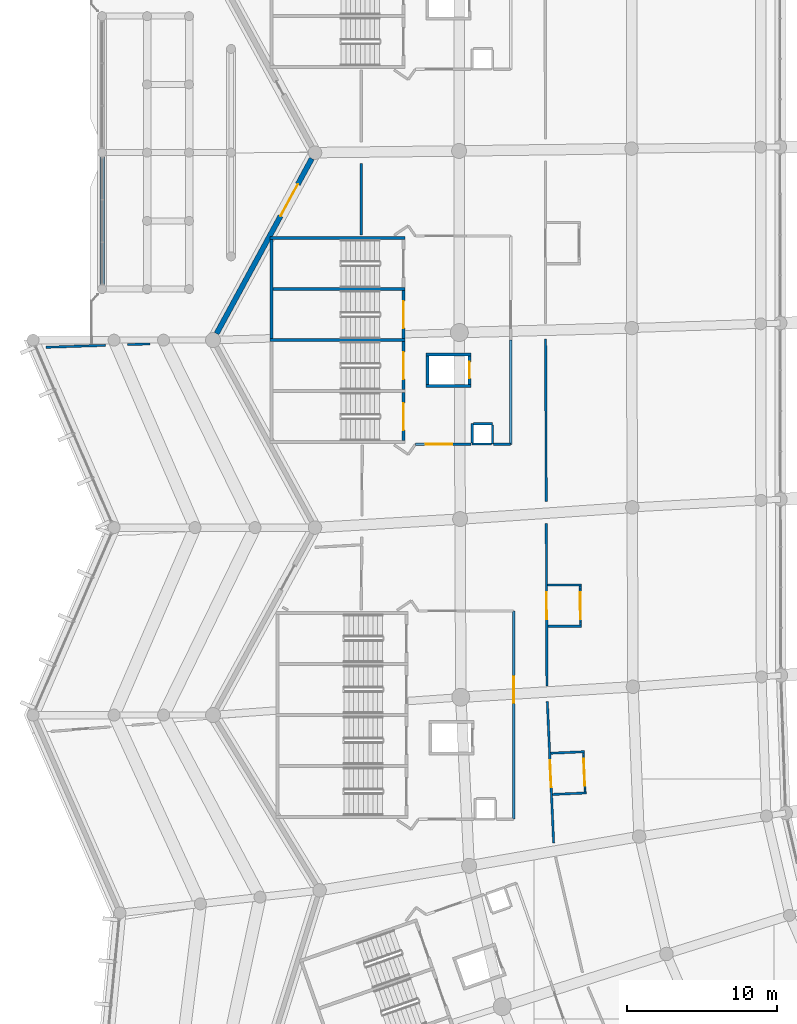
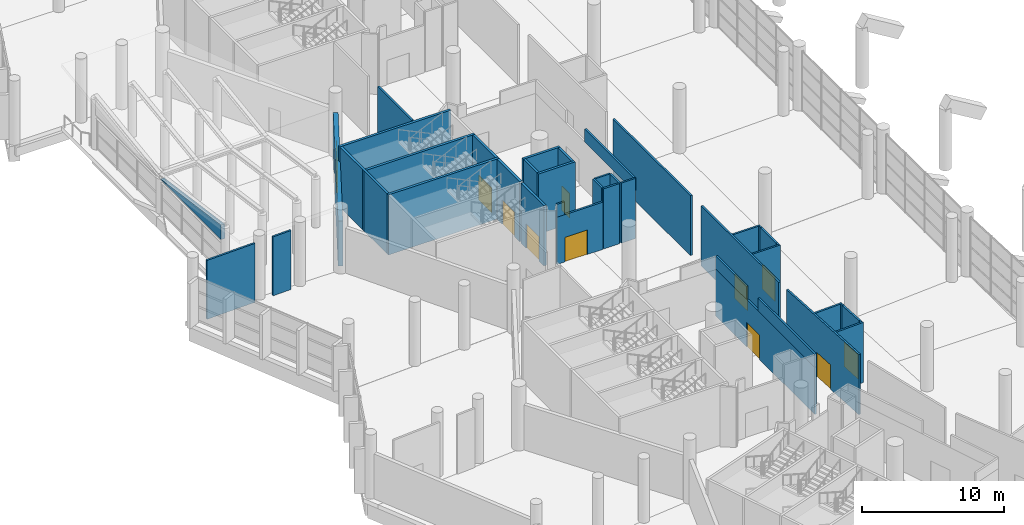
# One storey, part 167 of 271: 40 walls, 11 doors, 11 openings.
"""IFC4 building model written with IfcOpenShell, lengths in metres."""

import ifcopenshell
import ifcopenshell.guid

model = None  # the IFC model being written
_history = None  # IfcOwnerHistory: only IFC2X3 demands one
_inside = {}  # id of a spatial element -> (the spatial element, [elements in it])
_under = {}  # id of a project, library or spatial element -> (it, [spatial elements below it])
_declared = {}  # id of a project -> (the project, [libraries it declares])
_typed = {}  # id of a type object -> (the type object, [elements of that type])
_made_of = {}  # id of a material, layer set ... -> (it, [elements and type objects made of it])


def new_model(schema):
    """Start an empty IFC model of exactly this schema.

    Asked for "IFC4X3", IfcOpenShell would pick the latest addendum, in which some entities
    have other attributes; the version numbers below select the first issue.
    IFC2X3 requires an IfcOwnerHistory on every rooted entity: one is made here for all.
    """
    global model, _history
    if schema == "IFC4X3":
        model = ifcopenshell.file(schema_version=(4, 3, 0, 0))
    else:
        model = ifcopenshell.file(schema=schema)
    _inside.clear()
    _under.clear()
    _declared.clear()
    _typed.clear()
    _made_of.clear()
    _history = None
    if model.schema == "IFC2X3":
        org = make("IfcOrganization", Name="unknown")
        user = make(
            "IfcPersonAndOrganization",
            ThePerson=make("IfcPerson", FamilyName="unknown"),
            TheOrganization=org,
        )
        app = make(
            "IfcApplication",
            ApplicationDeveloper=org,
            Version="unknown",
            ApplicationFullName="unknown",
            ApplicationIdentifier="unknown",
        )
        _history = make(
            "IfcOwnerHistory",
            OwningUser=user,
            OwningApplication=app,
            ChangeAction="ADDED",
            CreationDate=0,
        )
    return model


def make(cls, **values):
    """One entity of the class cls with the attributes given. An attribute that is None is left unset."""
    return model.create_entity(
        cls, **{name: value for name, value in values.items() if value is not None}
    )


def rooted(cls, **values):
    """An entity with a GlobalId (a new one), such as an element, a storey or a relation."""
    return make(cls, GlobalId=ifcopenshell.guid.new(), OwnerHistory=_history, **values)


def si_unit(unit_type, name, prefix=None):
    """IfcSIUnit, for example si_unit("LENGTHUNIT", "METRE", prefix="MILLI")."""
    return make("IfcSIUnit", UnitType=unit_type, Prefix=prefix, Name=name)


def assignment(units):
    """IfcUnitAssignment: the units of a project."""
    return None if units is None else make("IfcUnitAssignment", Units=units)


def point(xyz):
    """IfcCartesianPoint."""
    return None if xyz is None else make("IfcCartesianPoint", Coordinates=xyz)


def direction(xyz):
    """IfcDirection."""
    return None if xyz is None else make("IfcDirection", DirectionRatios=xyz)


def frame(location, z_axis=None, x_axis=None):
    """IfcAxis2Placement3D, a coordinate frame: its origin and axes. An axis left out is left unset."""
    return make(
        "IfcAxis2Placement3D",
        Location=point(location),
        Axis=direction(z_axis),
        RefDirection=direction(x_axis),
    )


def frame_2d(location, x_axis=None):
    """IfcAxis2Placement2D, a coordinate frame in the plane: its origin and x axis."""
    return make(
        "IfcAxis2Placement2D", Location=point(location), RefDirection=direction(x_axis)
    )


def origin():
    """The frame at (0, 0, 0) with its axes left unset."""
    return frame((0.0, 0.0, 0.0))


def place(relative_to, where):
    """IfcLocalPlacement: puts the frame where relative to a parent placement (None: the world)."""
    return make(
        "IfcLocalPlacement", PlacementRelTo=relative_to, RelativePlacement=where
    )


def context(
    kind, dimensions, precision=None, world=None, true_north=None, identifier=None
):
    """IfcGeometricRepresentationContext, for example the 3D "Model" context."""
    return make(
        "IfcGeometricRepresentationContext",
        ContextIdentifier=identifier,
        ContextType=kind,
        CoordinateSpaceDimension=dimensions,
        Precision=precision,
        WorldCoordinateSystem=world,
        TrueNorth=true_north,
    )


def subcontext(parent, identifier, kind, view, scale=None):
    """IfcGeometricRepresentationSubContext, for example "Body" below "Model"."""
    return make(
        "IfcGeometricRepresentationSubContext",
        ContextIdentifier=identifier,
        ContextType=kind,
        ParentContext=parent,
        TargetScale=scale,
        TargetView=view,
    )


def project(units=None, contexts=None):
    """IfcProject with its units and contexts."""
    return rooted(
        "IfcProject",
        Name="project",
        RepresentationContexts=contexts,
        UnitsInContext=assignment(units),
    )


def spatial(cls, under=None, at=None, **own):
    """A site, building, storey or space (cls), placed at a placement, below another one or the project."""
    s = rooted(cls, ObjectPlacement=at, **own)
    if under is not None:
        _under.setdefault(under.id(), (under, []))[1].append(s)
    return s


def polyline(points):
    """IfcPolyline through the points."""
    return make("IfcPolyline", Points=[point(p) for p in points])


def profile(cls, at=None, kind="AREA", **sizes):
    """A parametric profile (cls). Its sizes go by their IFC names, for example OverallWidth=200.0."""
    return make(cls, ProfileType=kind, Position=at, **sizes)


def rectangle(**sizes):
    """IfcRectangleProfileDef."""
    return profile("IfcRectangleProfileDef", **sizes)


def outline(outer, holes=None, kind="AREA"):
    """IfcArbitraryClosedProfileDef: a profile drawn as a closed curve; with holes, ...WithVoids."""
    if holes is None:
        return make("IfcArbitraryClosedProfileDef", ProfileType=kind, OuterCurve=outer)
    return make(
        "IfcArbitraryProfileDefWithVoids",
        ProfileType=kind,
        OuterCurve=outer,
        InnerCurves=holes,
    )


def extrude(swept, where, along, depth):
    """IfcExtrudedAreaSolid: the profile swept, set in the frame where, extruded along a direction by depth."""
    return make(
        "IfcExtrudedAreaSolid",
        SweptArea=swept,
        Position=where,
        ExtrudedDirection=direction(along),
        Depth=depth,
    )


def shape(context_of_items, identifier, shape_type, items):
    """IfcShapeRepresentation: the items that make up one representation, for example the "Body"."""
    return make(
        "IfcShapeRepresentation",
        ContextOfItems=context_of_items,
        RepresentationIdentifier=identifier,
        RepresentationType=shape_type,
        Items=items,
    )


def material(Name=None, Category=None):
    """IfcMaterial."""
    return make("IfcMaterial", Name=Name, Category=Category)


def layer(
    of_material, thickness, ventilated=None, Name=None, Category=None, Priority=None
):
    """IfcMaterialLayer: one layer of a wall or slab, of a material (None: an air gap)."""
    return make(
        "IfcMaterialLayer",
        Material=of_material,
        LayerThickness=thickness,
        IsVentilated=ventilated,
        Name=Name,
        Category=Category,
        Priority=Priority,
    )


def layer_set(layers, Name=None):
    """IfcMaterialLayerSet."""
    return make("IfcMaterialLayerSet", MaterialLayers=layers, LayerSetName=Name)


def made_of(thing, what):
    """Note that an element or type object is made of a material, layer set ...; save() writes the relation."""
    if what is not None:
        _made_of.setdefault(what.id(), (what, []))[1].append(thing)
    return thing


def type_object(cls, material=None, **own):
    """A type object (cls), such as IfcWallType, which elements share."""
    return made_of(rooted(cls, **own), material)


def element(
    cls,
    number,
    at=None,
    inside=None,
    cuts=None,
    type_object=None,
    material=None,
    context=None,
    identifier="Body",
    shape_type=None,
    held_by="IfcProductDefinitionShape",
    body=None,
    shapes=None,
    **own,
):
    """One element of the class cls, such as IfcWall. Its Tag is "e" and its number.

    at: its placement. inside: the storey or other place that contains it. cuts: it is an
    opening in that element (IfcRelVoidsElement). A single representation is given by context,
    identifier, shape_type and body (its items); several are given by shapes. held_by: the class
    of the entity that holds the representations. save() writes the other relations.
    """
    e = rooted(cls, Tag="e%d" % number, ObjectPlacement=at, **own)
    if body is not None:
        shapes = [shape(context, identifier, shape_type, body)]
    if shapes is not None:
        e.Representation = make(held_by, Representations=shapes)
    if inside is not None:
        _inside.setdefault(inside.id(), (inside, []))[1].append(e)
    if cuts is not None:
        rooted(
            "IfcRelVoidsElement", RelatingBuildingElement=cuts, RelatedOpeningElement=e
        )
    if type_object is not None:
        _typed.setdefault(type_object.id(), (type_object, []))[1].append(e)
    return made_of(e, material)


def fill(opening, filler):
    """IfcRelFillsElement: the door or window that sits in an opening."""
    return rooted(
        "IfcRelFillsElement",
        RelatingOpeningElement=opening,
        RelatedBuildingElement=filler,
    )


def aggregate(whole, parts):
    """IfcRelAggregates: a whole, such as a stair, and the parts it consists of."""
    return rooted("IfcRelAggregates", RelatingObject=whole, RelatedObjects=parts)


def save(model, path):
    """Write the relations noted so far, then the file.

    IfcRelAggregates (storeys below a building ...), IfcRelContainedInSpatialStructure (elements
    in a storey), IfcRelDefinesByType, IfcRelAssociatesMaterial and IfcRelDeclares: one each for
    every whole, place, type object, material and project.
    """
    for whole, parts in _under.values():
        aggregate(whole, parts)
    for where, things in _inside.values():
        rooted(
            "IfcRelContainedInSpatialStructure",
            RelatedElements=things,
            RelatingStructure=where,
        )
    for kind, things in _typed.values():
        rooted("IfcRelDefinesByType", RelatedObjects=things, RelatingType=kind)
    for what, things in _made_of.values():
        rooted("IfcRelAssociatesMaterial", RelatedObjects=things, RelatingMaterial=what)
    for by, libraries in _declared.values():
        rooted("IfcRelDeclares", RelatingContext=by, RelatedDefinitions=libraries)
    model.write(path)


model = new_model("IFC4")

# Units and contexts
model_context = context("Model", 3, precision=1e-05, world=origin(), true_north=direction((0.0, 1.0)))
body_context = subcontext(model_context, "Body", "Model", "MODEL_VIEW")
ifc_project = project(units=[si_unit("LENGTHUNIT", "METRE"), si_unit("AREAUNIT", "SQUARE_METRE"), si_unit("VOLUMEUNIT", "CUBIC_METRE"), si_unit("PLANEANGLEUNIT", "RADIAN"), si_unit("MASSUNIT", "GRAM", prefix="KILO")], contexts=[model_context])

# Site, building, storey
site_placement = place(None, origin())
site = spatial("IfcSite", under=ifc_project, at=site_placement, CompositionType="ELEMENT")
building_placement = place(site_placement, origin())
building = spatial("IfcBuilding", under=site, at=building_placement, Name="Meseta Stadium", CompositionType="ELEMENT")
storey_placement = place(building_placement, frame((0.0, 0.0, 6.5)))
storey = spatial("IfcBuildingStorey", under=building, at=storey_placement, Name="L01", CompositionType="ELEMENT", Elevation=6.5)

# Walls
ifc_material_1 = material(Name="Concrete C40/50", Category="concrete")
ifc_layer_1 = layer(ifc_material_1, 0.199951171875)
ifc_layer_set_1 = layer_set([ifc_layer_1], Name="Core divider wall 200")
wall_type_1 = type_object("IfcWallType", Name="Core divider wall 200", PredefinedType="SHEAR", material=ifc_layer_set_1)
wall_1_placement = place(storey_placement, frame((-97.60009765625, -15.35009765625, 0.0), z_axis=(0.0, 0.0, 1.0), x_axis=(1.0, 0.0, 0.0)))
element("IfcWall", 1, at=wall_1_placement, inside=storey, type_object=wall_type_1, Name="Core 18 L01 stair A divider wall", PredefinedType="SHEAR", context=body_context, shape_type="SweptSolid", body=[
    extrude(rectangle(XDim=9.0, YDim=0.199951171875, at=frame_2d((4.5, 0.0))), origin(), (0.0, 0.0, 1.0), 5.14990234375),
])
ifc_material_2 = material(Name="Concrete C40/50", Category="concrete")
ifc_layer_2 = layer(ifc_material_2, 0.199951171875)
ifc_layer_set_2 = layer_set([ifc_layer_2], Name="Core shaft wall 200")
wall_type_2 = type_object("IfcWallType", Name="Core shaft wall 200", PredefinedType="SHEAR", material=ifc_layer_set_2)
for number, where, z_axis, x_axis, name in (
    (2, (-97.60009765625, -11.949951171875, 0.0), (0.0, 0.0, 1.0), (1.0, 0.0, 0.0), "Core 18 L01 stair wall A-side"),
    (3, (-97.60009765625, -18.75, 0.0), (0.0, 0.0, 1.0), (1.0, 0.0, 0.0), "Core 18 L01 stair wall shared"),
):
    element("IfcWall", number, at=place(storey_placement, frame(where, z_axis=z_axis, x_axis=x_axis)), inside=storey, type_object=wall_type_2, Name=name, PredefinedType="SHEAR", context=body_context, shape_type="SweptSolid", body=[
        extrude(rectangle(XDim=9.0, YDim=0.199951171875, at=frame_2d((4.5, 0.0))), origin(), (0.0, 0.0, 1.0), 5.14990234375),
    ])
wall_2_placement = place(storey_placement, frame((-97.5, -12.050048828125, 0.0), z_axis=(0.0, 0.0, 1.0), x_axis=(0.0, -1.0, 0.0)))
element("IfcWall", 4, at=wall_2_placement, inside=storey, type_object=wall_type_2, Name="Core 18 L01 stair A outer end wall", PredefinedType="SHEAR", context=body_context, shape_type="SweptSolid", body=[
    extrude(rectangle(XDim=6.599853515625, YDim=0.199951171875, at=frame_2d((3.2998046875, 0.0))), origin(), (0.0, 0.0, 1.0), 5.14990234375),
])

# Wall, opening, door
wall_3_placement = place(storey_placement, frame((-88.699951171875, -15.449951171875, 0.0), z_axis=(0.0, 0.0, 1.0), x_axis=(0.0, -1.0, 0.0)))
wall_3 = element("IfcWall", 5, at=wall_3_placement, inside=storey, type_object=wall_type_2, Name="Core 18 L01 stair A2 inner end wall", PredefinedType="SHEAR", context=body_context, shape_type="SweptSolid", body=[
    extrude(rectangle(XDim=3.199951171875, YDim=0.199951171875, at=frame_2d((1.60009765625, 0.0))), origin(), (0.0, 0.0, 1.0), 5.14990234375),
])
opening_1_placement = place(wall_3_placement, frame((0.699951171875, 0.0, 0.0)))
opening_1 = element("IfcOpeningElement", 6, at=opening_1_placement, cuts=wall_3, Name="Opening D250", PredefinedType="OPENING", context=body_context, shape_type="SweptSolid", body=[
    extrude(rectangle(XDim=1.800048828125, YDim=2.10009765625, at=frame_2d((0.89990234375, 1.050048828125))), frame((0.0, 0.10986328125, 0.0), z_axis=(0.0, -1.0, 0.0), x_axis=(1.0, 0.0, 0.0)), (0.0, 0.0, 1.0), 0.219970703125),
])
ifc_material_3 = material(Name="Steel", Category="steel")
door_type_1 = type_object("IfcDoorType", Name="Stair door 1800x2100", OperationType="DOUBLE_DOOR_SINGLE_SWING", PredefinedType="DOOR", material=ifc_material_3)
door_1_placement = place(opening_1_placement, origin())
door_1 = element("IfcDoor", 7, at=door_1_placement, inside=storey, type_object=door_type_1, Name="Stair A2 door 18 L01", OperationType="DOUBLE_DOOR_SINGLE_SWING", OverallHeight=2.10009765625, OverallWidth=1.800048828125, PredefinedType="DOOR", context=body_context, shape_type="SweptSolid", body=[
    extrude(rectangle(XDim=1.800048828125, YDim=2.10009765625, at=frame_2d((0.89990234375, 1.050048828125))), frame((0.0, 0.02490234375, 0.0), z_axis=(0.0, -1.0, 0.0), x_axis=(1.0, 0.0, 0.0)), (0.0, 0.0, 1.0), 0.050048828125),
])
fill(opening_1, door_1)

wall_4_placement = place(storey_placement, frame((-88.699951171875, -18.85009765625, 0.0), z_axis=(0.0, 0.0, 1.0), x_axis=(0.0, -1.0, 0.0)))
wall_4 = element("IfcWall", 8, at=wall_4_placement, inside=storey, type_object=wall_type_2, Name="Core 18 L01 stair B1 inner end wall", PredefinedType="SHEAR", context=body_context, shape_type="SweptSolid", body=[
    extrude(rectangle(XDim=3.199951171875, YDim=0.199951171875, at=frame_2d((1.60009765625, 0.0))), origin(), (0.0, 0.0, 1.0), 5.14990234375),
])
opening_2_placement = place(wall_4_placement, frame((0.699951171875, 0.0, 0.0)))
opening_2 = element("IfcOpeningElement", 9, at=opening_2_placement, cuts=wall_4, Name="Opening D251", PredefinedType="OPENING", context=body_context, shape_type="SweptSolid", body=[
    extrude(rectangle(XDim=1.800048828125, YDim=2.10009765625, at=frame_2d((0.89990234375, 1.050048828125))), frame((0.0, 0.10986328125, 0.0), z_axis=(0.0, -1.0, 0.0), x_axis=(1.0, 0.0, 0.0)), (0.0, 0.0, 1.0), 0.219970703125),
])
door_2_placement = place(opening_2_placement, origin())
door_2 = element("IfcDoor", 10, at=door_2_placement, inside=storey, type_object=door_type_1, Name="Stair B1 door 18 L01", OperationType="DOUBLE_DOOR_SINGLE_SWING", OverallHeight=2.10009765625, OverallWidth=1.800048828125, PredefinedType="DOOR", context=body_context, shape_type="SweptSolid", body=[
    extrude(rectangle(XDim=1.800048828125, YDim=2.10009765625, at=frame_2d((0.89990234375, 1.050048828125))), frame((0.0, 0.02490234375, 0.0), z_axis=(0.0, -1.0, 0.0), x_axis=(1.0, 0.0, 0.0)), (0.0, 0.0, 1.0), 0.050048828125),
])
fill(opening_2, door_2)

wall_5_placement = place(storey_placement, frame((-88.699951171875, -22.25, 0.0), z_axis=(0.0, 0.0, 1.0), x_axis=(0.0, -1.0, 0.0)))
wall_5 = element("IfcWall", 11, at=wall_5_placement, inside=storey, type_object=wall_type_2, Name="Core 18 L01 stair B2 inner end wall", PredefinedType="SHEAR", context=body_context, shape_type="SweptSolid", body=[
    extrude(rectangle(XDim=3.199951171875, YDim=0.199951171875, at=frame_2d((1.60009765625, 0.0))), origin(), (0.0, 0.0, 1.0), 5.14990234375),
])
opening_3_placement = place(wall_5_placement, frame((0.699951171875, 0.0, 0.0)))
opening_3 = element("IfcOpeningElement", 12, at=opening_3_placement, cuts=wall_5, Name="Opening D252", PredefinedType="OPENING", context=body_context, shape_type="SweptSolid", body=[
    extrude(rectangle(XDim=1.800048828125, YDim=2.10009765625, at=frame_2d((0.89990234375, 1.050048828125))), frame((0.0, 0.10986328125, 0.0), z_axis=(0.0, -1.0, 0.0), x_axis=(1.0, 0.0, 0.0)), (0.0, 0.0, 1.0), 0.219970703125),
])
door_3_placement = place(opening_3_placement, origin())
door_3 = element("IfcDoor", 13, at=door_3_placement, inside=storey, type_object=door_type_1, Name="Stair B2 door 18 L01", OperationType="DOUBLE_DOOR_SINGLE_SWING", OverallHeight=2.10009765625, OverallWidth=1.800048828125, PredefinedType="DOOR", context=body_context, shape_type="SweptSolid", body=[
    extrude(rectangle(XDim=1.800048828125, YDim=2.10009765625, at=frame_2d((0.89990234375, 1.050048828125))), frame((0.0, 0.02490234375, 0.0), z_axis=(0.0, -1.0, 0.0), x_axis=(1.0, 0.0, 0.0)), (0.0, 0.0, 1.0), 0.050048828125),
])
fill(opening_3, door_3)

# Walls
for number, where, z_axis, x_axis, name in (
    (14, (-87.199951171875, -19.699951171875, 0.0), (0.0, 0.0, 1.0), (1.0, 0.0, 0.0), "Core 18 L01 lift shaft wall left"),
    (15, (-87.199951171875, -21.800048828125, 0.0), (0.0, 0.0, 1.0), (1.0, 0.0, 0.0), "Core 18 L01 lift shaft wall right"),
):
    element("IfcWall", number, at=place(storey_placement, frame(where, z_axis=z_axis, x_axis=x_axis)), inside=storey, type_object=wall_type_2, Name=name, PredefinedType="SHEAR", context=body_context, shape_type="SweptSolid", body=[
        extrude(rectangle(XDim=3.0, YDim=0.199951171875, at=frame_2d((1.5, 0.0))), origin(), (0.0, 0.0, 1.0), 5.14990234375),
    ])
wall_6_placement = place(storey_placement, frame((-87.10009765625, -19.800048828125, 0.0), z_axis=(0.0, 0.0, 1.0), x_axis=(0.0, -1.0, 0.0)))
element("IfcWall", 16, at=wall_6_placement, inside=storey, type_object=wall_type_2, Name="Core 18 L01 lift shaft back wall", PredefinedType="SHEAR", context=body_context, shape_type="SweptSolid", body=[
    extrude(rectangle(XDim=1.89990234375, YDim=0.199951171875, at=frame_2d((0.949951171875, 0.0))), origin(), (0.0, 0.0, 1.0), 5.14990234375),
])

# Wall, opening, door
wall_7_placement = place(storey_placement, frame((-84.300048828125, -19.800048828125, 0.0), z_axis=(0.0, 0.0, 1.0), x_axis=(0.0, -1.0, 0.0)))
wall_7 = element("IfcWall", 17, at=wall_7_placement, inside=storey, type_object=wall_type_2, Name="Core 18 L01 lift shaft front wall", PredefinedType="SHEAR", context=body_context, shape_type="SweptSolid", body=[
    extrude(rectangle(XDim=1.89990234375, YDim=0.199951171875, at=frame_2d((0.949951171875, 0.0))), origin(), (0.0, 0.0, 1.0), 5.14990234375),
])
opening_4_placement = place(wall_7_placement, frame((0.39990234375, 0.0, 0.0)))
opening_4 = element("IfcOpeningElement", 18, at=opening_4_placement, cuts=wall_7, Name="Opening LD99", PredefinedType="OPENING", context=body_context, shape_type="SweptSolid", body=[
    extrude(rectangle(XDim=1.10009765625, YDim=2.10009765625, at=frame_2d((0.550048828125, 1.050048828125))), frame((0.0, 0.10986328125, 0.0), z_axis=(0.0, -1.0, 0.0), x_axis=(1.0, 0.0, 0.0)), (0.0, 0.0, 1.0), 0.219970703125),
])
ifc_material_4 = material(Name="Steel", Category="steel")
door_type_2 = type_object("IfcDoorType", Name="Lift landing door 1100x2100", OperationType="SLIDING_TO_LEFT", PredefinedType="DOOR", material=ifc_material_4)
door_4_placement = place(opening_4_placement, origin())
door_4 = element("IfcDoor", 19, at=door_4_placement, inside=storey, type_object=door_type_2, Name="Lift landing door LD99", OperationType="SLIDING_TO_LEFT", OverallHeight=2.10009765625, OverallWidth=1.10009765625, PredefinedType="DOOR", context=body_context, shape_type="SweptSolid", body=[
    extrude(rectangle(XDim=1.10009765625, YDim=2.10009765625, at=frame_2d((0.550048828125, 1.050048828125))), frame((0.0, 0.02490234375, 0.0), z_axis=(0.0, -1.0, 0.0), x_axis=(1.0, 0.0, 0.0)), (0.0, 0.0, 1.0), 0.050048828125),
])
fill(opening_4, door_4)

# Walls
ifc_material_5 = material(Name="Precast concrete C40/50", Category="concrete")
ifc_layer_3 = layer(ifc_material_5, 0.300048828125)
ifc_layer_set_3 = layer_set([ifc_layer_3], Name="Gate facade panel wall 300")
wall_type_3 = type_object("IfcWallType", Name="Gate facade panel wall 300", PredefinedType="SOLIDWALL", material=ifc_layer_set_3)
wall_8_placement = place(storey_placement, frame((-108.800048828125, -6.550048828125, 2.99609375), z_axis=(0.0, 0.0, 1.0), x_axis=(0.0, -1.0, 0.0)))
element("IfcWall", 20, at=wall_8_placement, inside=storey, type_object=wall_type_3, Name="Gate 5 gable panel wall", PredefinedType="SOLIDWALL", context=body_context, shape_type="SweptSolid", body=[
    extrude(outline(polyline([(0.0, 0.0), (8.5, 0.0), (8.5, 1.241943359375), (0.0, 0.052001953125), (0.0, 0.0)])), frame((0.0, 0.14990234375, 0.0), z_axis=(0.0, -1.0, 0.0), x_axis=(1.0, 0.0, 0.0)), (0.0, 0.0, 1.0), 0.300048828125),
])
ifc_material_6 = material(Name="Masonry blockwork", Category="masonry")
ifc_layer_4 = layer(ifc_material_6, 0.14990234375)
ifc_layer_set_4 = layer_set([ifc_layer_4], Name="Partition 150")
wall_type_4 = type_object("IfcWallType", Name="Partition 150", PredefinedType="PARTITIONING", material=ifc_layer_set_4)
wall_9_placement = place(storey_placement, frame((-91.519287109375, -6.96728515625, 0.0), z_axis=(0.0, 0.0, 1.0), x_axis=(-0.001174067593, -0.999999310782, 0.0)))
element("IfcWall", 21, at=wall_9_placement, inside=storey, type_object=wall_type_4, Name="Partition L01 L01-cell16-2-0", PredefinedType="PARTITIONING", context=body_context, shape_type="SweptSolid", body=[
    extrude(rectangle(XDim=4.78271484375, YDim=0.14990234375, at=frame_2d((2.391357421875, 0.0))), origin(), (0.0, 0.0, 1.0), 5.14990234375),
])

# Wall, opening, door
wall_10_placement = place(storey_placement, frame((-79.139892578125, -41.81005859375, 0.0), z_axis=(0.0, 0.0, 1.0), x_axis=(-0.003787424647, 0.999992827682, 0.0)))
wall_10 = element("IfcWall", 22, at=wall_10_placement, inside=storey, type_object=wall_type_4, Name="Partition L01 L01-cell17-0-0", PredefinedType="PARTITIONING", context=body_context, shape_type="SweptSolid", body=[
    extrude(rectangle(XDim=10.829345703125, YDim=0.14990234375, at=frame_2d((5.41455078125, 0.0))), origin(), (0.0, 0.0, 1.0), 5.14990234375),
])
opening_5_placement = place(wall_10_placement, frame((4.449951171875, 0.0, 0.0)))
opening_5 = element("IfcOpeningElement", 23, at=opening_5_placement, cuts=wall_10, Name="Opening D663", PredefinedType="OPENING", context=body_context, shape_type="SweptSolid", body=[
    extrude(rectangle(XDim=1.800048828125, YDim=2.10009765625, at=frame_2d((0.89990234375, 1.050048828125))), frame((0.0, 0.0849609375, 0.0), z_axis=(0.0, -1.0, 0.0), x_axis=(1.0, 0.0, 0.0)), (0.0, 0.0, 1.0), 0.169921875),
])
ifc_material_7 = material(Name="Steel", Category="steel")
door_type_3 = type_object("IfcDoorType", Name="Fire double door 1800x2100 EI2 60", OperationType="DOUBLE_DOOR_SINGLE_SWING", PredefinedType="DOOR", material=ifc_material_7)
door_5_placement = place(opening_5_placement, origin())
door_5 = element("IfcDoor", 24, at=door_5_placement, inside=storey, type_object=door_type_3, Name="Door D663", OperationType="DOUBLE_DOOR_SINGLE_SWING", OverallHeight=2.10009765625, OverallWidth=1.800048828125, PredefinedType="DOOR", context=body_context, shape_type="SweptSolid", body=[
    extrude(rectangle(XDim=1.800048828125, YDim=2.10009765625, at=frame_2d((0.89990234375, 1.050048828125))), frame((0.0, 0.02490234375, 0.0), z_axis=(0.0, -1.0, 0.0), x_axis=(1.0, 0.0, 0.0)), (0.0, 0.0, 1.0), 0.050048828125),
])
fill(opening_5, door_5)

# Wall
wall_11_placement = place(storey_placement, frame((-79.186279296875, -29.50390625, 0.0), z_axis=(0.0, 0.0, 1.0), x_axis=(-0.003787510032, 0.999992827358, 0.0)))
element("IfcWall", 25, at=wall_11_placement, inside=storey, type_object=wall_type_4, Name="Partition L01 L01-cell17-0-0", PredefinedType="PARTITIONING", context=body_context, shape_type="SweptSolid", body=[
    extrude(rectangle(XDim=10.8291015625, YDim=0.14990234375, at=frame_2d((5.41455078125, 0.0))), origin(), (0.0, 0.0, 1.0), 5.14990234375),
])

# Wall, opening, door
wall_12_placement = place(storey_placement, frame((-78.69140625, -52.265869140625, 0.0), z_axis=(0.0, 0.0, 1.0), x_axis=(-0.044749816806, 0.998998225172, 0.0)))
wall_12 = element("IfcWall", 26, at=wall_12_placement, inside=storey, type_object=wall_type_4, Name="Partition L01 L01-cell18-0-0", PredefinedType="PARTITIONING", context=body_context, shape_type="SweptSolid", body=[
    extrude(rectangle(XDim=9.427490234375, YDim=0.14990234375, at=frame_2d((4.7138671875, 0.0))), origin(), (0.0, 0.0, 1.0), 5.14990234375),
])
opening_6_placement = place(wall_12_placement, frame((3.699951171875, 0.0, 0.0)))
opening_6 = element("IfcOpeningElement", 27, at=opening_6_placement, cuts=wall_12, Name="Opening D666", PredefinedType="OPENING", context=body_context, shape_type="SweptSolid", body=[
    extrude(rectangle(XDim=1.800048828125, YDim=2.10009765625, at=frame_2d((0.89990234375, 1.050048828125))), frame((0.0, 0.0849609375, 0.0), z_axis=(0.0, -1.0, 0.0), x_axis=(1.0, 0.0, 0.0)), (0.0, 0.0, 1.0), 0.169921875),
])
door_6_placement = place(opening_6_placement, origin())
door_6 = element("IfcDoor", 28, at=door_6_placement, inside=storey, type_object=door_type_3, Name="Door D666", OperationType="DOUBLE_DOOR_SINGLE_SWING", OverallHeight=2.10009765625, OverallWidth=1.800048828125, PredefinedType="DOOR", context=body_context, shape_type="SweptSolid", body=[
    extrude(rectangle(XDim=1.800048828125, YDim=2.10009765625, at=frame_2d((0.89990234375, 1.050048828125))), frame((0.0, 0.02490234375, 0.0), z_axis=(0.0, -1.0, 0.0), x_axis=(1.0, 0.0, 0.0)), (0.0, 0.0, 1.0), 0.050048828125),
])
fill(opening_6, door_6)

# Walls
wall_13_placement = place(storey_placement, frame((-112.547607421875, -19.228515625, 0.0), z_axis=(0.0, 0.0, 1.0), x_axis=(0.99945927395, 0.032880993209, 0.0)))
element("IfcWall", 29, at=wall_13_placement, inside=storey, type_object=wall_type_4, Name="Partition L01 L01-ring17-0", PredefinedType="PARTITIONING", context=body_context, shape_type="SweptSolid", body=[
    extrude(rectangle(XDim=3.972412109375, YDim=0.14990234375, at=frame_2d((1.986328125, 0.0))), origin(), (0.0, 0.0, 1.0), 5.050048828125),
])
wall_14_placement = place(storey_placement, frame((-107.0888671875, -19.049072265625, 0.0), z_axis=(0.0, 0.0, 1.0), x_axis=(0.999457207836, 0.03294373545, 0.0)))
element("IfcWall", 30, at=wall_14_placement, inside=storey, type_object=wall_type_4, Name="Partition L01 L01-ring17-0", PredefinedType="PARTITIONING", context=body_context, shape_type="SweptSolid", body=[
    extrude(rectangle(XDim=1.489501953125, YDim=0.14990234375, at=frame_2d((0.74462890625, 0.0))), origin(), (0.0, 0.0, 1.0), 5.050048828125),
])
wall_15_placement = place(storey_placement, frame((-84.125, -24.324951171875, 0.0), z_axis=(0.0, 0.0, 1.0), x_axis=(0.0, -1.0, 0.0)))
element("IfcWall", 31, at=wall_15_placement, inside=storey, type_object=wall_type_4, Name="Pressurisation shaft wall L01 core 18", PredefinedType="PARTITIONING", context=body_context, shape_type="SweptSolid", body=[
    extrude(rectangle(XDim=1.275146484375, YDim=0.14990234375, at=frame_2d((0.6376953125, 0.0))), origin(), (0.0, 0.0, 1.0), 5.14990234375),
])
wall_16_placement = place(storey_placement, frame((-84.125, -25.675048828125, 0.0), z_axis=(0.0, 0.0, 1.0), x_axis=(1.0, 0.0, 0.0)))
element("IfcWall", 32, at=wall_16_placement, inside=storey, type_object=wall_type_4, Name="Pressurisation shaft wall L01 core 18", PredefinedType="PARTITIONING", context=body_context, shape_type="SweptSolid", body=[
    extrude(rectangle(XDim=1.27490234375, YDim=0.14990234375, at=frame_2d((0.637451171875, 0.0))), origin(), (0.0, 0.0, 1.0), 5.14990234375),
])
for number, where, z_axis, x_axis, name in (
    (33, (-82.77490234375, -25.675048828125, 0.0), (0.0, 0.0, 1.0), (0.0, 1.0, 0.0), "Pressurisation shaft wall L01 core 18"),
    (34, (-82.77490234375, -24.324951171875, 0.0), (0.0, 0.0, 1.0), (-1.0, 0.0, 0.0), "Pressurisation shaft wall L01 core 18"),
):
    element("IfcWall", number, at=place(storey_placement, frame(where, z_axis=z_axis, x_axis=x_axis)), inside=storey, type_object=wall_type_4, Name=name, PredefinedType="PARTITIONING", context=body_context, shape_type="SweptSolid", body=[
        extrude(rectangle(XDim=1.275146484375, YDim=0.14990234375, at=frame_2d((0.6376953125, 0.0))), origin(), (0.0, 0.0, 1.0), 5.14990234375),
    ])

# Wall, opening, door
wall_17_placement = place(storey_placement, frame((-87.909423828125, -25.695068359375, 0.0), z_axis=(0.0, 0.0, 1.0), x_axis=(1.0, 0.0, 0.0)))
wall_17 = element("IfcWall", 35, at=wall_17_placement, inside=storey, type_object=wall_type_4, Name="Stair vestibule wall L01 core 18", PredefinedType="PARTITIONING", context=body_context, shape_type="SweptSolid", body=[
    extrude(rectangle(XDim=3.70361328125, YDim=0.14990234375, at=frame_2d((1.851806640625, 0.0))), origin(), (0.0, 0.0, 1.0), 4.050048828125),
])
opening_7_placement = place(wall_17_placement, frame((0.64990234375, 0.0, 0.0)))
opening_7 = element("IfcOpeningElement", 36, at=opening_7_placement, cuts=wall_17, Name="Opening D789", PredefinedType="OPENING", context=body_context, shape_type="SweptSolid", body=[
    extrude(rectangle(XDim=1.800048828125, YDim=2.10009765625, at=frame_2d((0.89990234375, 1.050048828125))), frame((0.0, 0.0849609375, 0.0), z_axis=(0.0, -1.0, 0.0), x_axis=(1.0, 0.0, 0.0)), (0.0, 0.0, 1.0), 0.169921875),
])
door_7_placement = place(opening_7_placement, origin())
door_7 = element("IfcDoor", 37, at=door_7_placement, inside=storey, type_object=door_type_3, Name="Stair vestibule door L01 core 18", OperationType="DOUBLE_DOOR_SINGLE_SWING", OverallHeight=2.10009765625, OverallWidth=1.800048828125, PredefinedType="DOOR", context=body_context, shape_type="SweptSolid", body=[
    extrude(rectangle(XDim=1.800048828125, YDim=2.10009765625, at=frame_2d((0.89990234375, 1.050048828125))), frame((0.0, 0.02490234375, 0.0), z_axis=(0.0, -1.0, 0.0), x_axis=(1.0, 0.0, 0.0)), (0.0, 0.0, 1.0), 0.050048828125),
])
fill(opening_7, door_7)

# Walls
wall_18_placement = place(storey_placement, frame((-87.909423828125, -25.695068359375, 4.050048828125), z_axis=(0.0, 0.0, 1.0), x_axis=(1.0, 0.0, 0.0)))
element("IfcWall", 38, at=wall_18_placement, inside=storey, type_object=wall_type_4, Name="Stair vestibule wall L01 core 18", PredefinedType="PARTITIONING", context=body_context, shape_type="SweptSolid", body=[
    extrude(rectangle(XDim=0.599853515625, YDim=0.14990234375, at=frame_2d((0.2998046875, 0.0))), origin(), (0.0, 0.0, 1.0), 1.099853515625),
])
wall_19_placement = place(storey_placement, frame((-82.68994140625, -25.695068359375, 0.0), z_axis=(0.0, 0.0, 1.0), x_axis=(1.0, 0.0, 0.0)))
element("IfcWall", 39, at=wall_19_placement, inside=storey, type_object=wall_type_4, Name="Stair vestibule wall L01 core 18", PredefinedType="PARTITIONING", context=body_context, shape_type="SweptSolid", body=[
    extrude(rectangle(XDim=1.135009765625, YDim=0.14990234375, at=frame_2d((0.5673828125, 0.0))), origin(), (0.0, 0.0, 1.0), 5.14990234375),
])
wall_20_placement = place(storey_placement, frame((-81.554931640625, -25.695068359375, 4.050048828125), z_axis=(0.0, 0.0, 1.0), x_axis=(0.0, 1.0, 0.0)))
element("IfcWall", 40, at=wall_20_placement, inside=storey, type_object=wall_type_4, Name="Stair vestibule wall L01 core 18", PredefinedType="PARTITIONING", context=body_context, shape_type="SweptSolid", body=[
    extrude(rectangle(XDim=6.945068359375, YDim=0.14990234375, at=frame_2d((3.47265625, 0.0))), origin(), (0.0, 0.0, 1.0), 1.099853515625),
])

# Wall, opening, door
wall_21_placement = place(storey_placement, frame((-81.35498046875, -50.695068359375, 0.0), z_axis=(0.0, 0.0, 1.0), x_axis=(0.0, 1.0, 0.0)))
wall_21 = element("IfcWall", 41, at=wall_21_placement, inside=storey, type_object=wall_type_4, Name="Stair vestibule wall L01 core 19", PredefinedType="PARTITIONING", context=body_context, shape_type="SweptSolid", body=[
    extrude(rectangle(XDim=13.89013671875, YDim=0.14990234375, at=frame_2d((6.945068359375, 0.0))), origin(), (0.0, 0.0, 1.0), 4.050048828125),
])
opening_8_placement = place(wall_21_placement, frame((7.75, 0.0, 0.0)))
opening_8 = element("IfcOpeningElement", 42, at=opening_8_placement, cuts=wall_21, Name="Opening D791", PredefinedType="OPENING", context=body_context, shape_type="SweptSolid", body=[
    extrude(rectangle(XDim=1.800048828125, YDim=2.10009765625, at=frame_2d((0.89990234375, 1.050048828125))), frame((0.0, 0.0849609375, 0.0), z_axis=(0.0, -1.0, 0.0), x_axis=(1.0, 0.0, 0.0)), (0.0, 0.0, 1.0), 0.169921875),
])
door_8_placement = place(opening_8_placement, origin())
door_8 = element("IfcDoor", 43, at=door_8_placement, inside=storey, type_object=door_type_3, Name="Stair vestibule door L01 core 19", OperationType="DOUBLE_DOOR_SINGLE_SWING", OverallHeight=2.10009765625, OverallWidth=1.800048828125, PredefinedType="DOOR", context=body_context, shape_type="SweptSolid", body=[
    extrude(rectangle(XDim=1.800048828125, YDim=2.10009765625, at=frame_2d((0.89990234375, 1.050048828125))), frame((0.0, 0.02490234375, 0.0), z_axis=(0.0, -1.0, 0.0), x_axis=(1.0, 0.0, 0.0)), (0.0, 0.0, 1.0), 0.050048828125),
])
fill(opening_8, door_8)

# Walls
wall_22_placement = place(storey_placement, frame((-81.35498046875, -50.695068359375, 4.050048828125), z_axis=(0.0, 0.0, 1.0), x_axis=(0.0, 1.0, 0.0)))
element("IfcWall", 44, at=wall_22_placement, inside=storey, type_object=wall_type_4, Name="Stair vestibule wall L01 core 19", PredefinedType="PARTITIONING", context=body_context, shape_type="SweptSolid", body=[
    extrude(rectangle(XDim=7.937255859375, YDim=0.14990234375, at=frame_2d((3.96875, 0.0))), origin(), (0.0, 0.0, 1.0), 1.099853515625),
])
wall_23_placement = place(storey_placement, frame((-81.35498046875, -41.094970703125, 4.050048828125), z_axis=(0.0, 0.0, 1.0), x_axis=(0.0, 1.0, 0.0)))
element("IfcWall", 45, at=wall_23_placement, inside=storey, type_object=wall_type_4, Name="Stair vestibule wall L01 core 19", PredefinedType="PARTITIONING", context=body_context, shape_type="SweptSolid", body=[
    extrude(rectangle(XDim=4.2900390625, YDim=0.14990234375, at=frame_2d((2.14501953125, 0.0))), origin(), (0.0, 0.0, 1.0), 1.099853515625),
])
for number, where, z_axis, x_axis, name in (
    (46, (-79.079833984375, -37.834716796875, 0.0), (0.0, 0.0, 1.0), (0.999992788652, 0.003797715669, 0.0), "Partition L01 L01-cell17-0-0 vestibule"),
    (47, (-79.09033203125, -35.084716796875, 0.0), (0.0, 0.0, 1.0), (0.999992788652, 0.003797715669, 0.0), "Partition L01 L01-cell17-0-0 vestibule"),
):
    element("IfcWall", number, at=place(storey_placement, frame(where, z_axis=z_axis, x_axis=x_axis)), inside=storey, type_object=wall_type_4, Name=name, PredefinedType="PARTITIONING", context=body_context, shape_type="SweptSolid", body=[
        extrude(rectangle(XDim=2.25, YDim=0.14990234375, at=frame_2d((1.125, 0.0))), origin(), (0.0, 0.0, 1.0), 5.14990234375),
    ])
wall_24_placement = place(storey_placement, frame((-76.905029296875, -37.75146484375, 0.0), z_axis=(0.0, 0.0, 1.0), x_axis=(-0.004883946635, 0.999988073462, 0.0)))
element("IfcWall", 48, at=wall_24_placement, inside=storey, type_object=wall_type_4, Name="Partition L01 L01-cell17-0-0 vestibule", PredefinedType="PARTITIONING", context=body_context, shape_type="SweptSolid", body=[
    extrude(rectangle(XDim=0.199951171875, YDim=0.14990234375, at=frame_2d((0.10009765625, 0.0))), origin(), (0.0, 0.0, 1.0), 5.14990234375),
])

# Wall, opening, door
wall_25_placement = place(storey_placement, frame((-76.906005859375, -37.551513671875, 0.0), z_axis=(0.0, 0.0, 1.0), x_axis=(-0.003773139272, 0.999992881685, 0.0)))
wall_25 = element("IfcWall", 49, at=wall_25_placement, inside=storey, type_object=wall_type_4, Name="Partition L01 L01-cell17-0-0 vestibule", PredefinedType="PARTITIONING", context=body_context, shape_type="SweptSolid", body=[
    extrude(rectangle(XDim=2.199951171875, YDim=0.14990234375, at=frame_2d((1.10009765625, 0.0))), origin(), (0.0, 0.0, 1.0), 5.14990234375),
])
opening_9_placement = place(wall_25_placement, frame((0.199951171875, 0.0, 0.0)))
opening_9 = element("IfcOpeningElement", 50, at=opening_9_placement, cuts=wall_25, Name="Opening D908", PredefinedType="OPENING", context=body_context, shape_type="SweptSolid", body=[
    extrude(rectangle(XDim=1.800048828125, YDim=2.10009765625, at=frame_2d((0.89990234375, 1.050048828125))), frame((0.0, 0.0849609375, 0.0), z_axis=(0.0, -1.0, 0.0), x_axis=(1.0, 0.0, 0.0)), (0.0, 0.0, 1.0), 0.169921875),
])
door_9_placement = place(opening_9_placement, origin())
door_9 = element("IfcDoor", 51, at=door_9_placement, inside=storey, type_object=door_type_3, Name="Vestibule door L01 L01-cell17-0-0", OperationType="DOUBLE_DOOR_SINGLE_SWING", OverallHeight=2.10009765625, OverallWidth=1.800048828125, PredefinedType="DOOR", context=body_context, shape_type="SweptSolid", body=[
    extrude(rectangle(XDim=1.800048828125, YDim=2.10009765625, at=frame_2d((0.89990234375, 1.050048828125))), frame((0.0, 0.02490234375, 0.0), z_axis=(0.0, -1.0, 0.0), x_axis=(1.0, 0.0, 0.0)), (0.0, 0.0, 1.0), 0.050048828125),
])
fill(opening_9, door_9)

# Walls
wall_26_placement = place(storey_placement, frame((-76.914306640625, -35.3515625, 0.0), z_axis=(0.0, 0.0, 1.0), x_axis=(-0.003662979089, 0.99999329127, 0.0)))
element("IfcWall", 52, at=wall_26_placement, inside=storey, type_object=wall_type_4, Name="Partition L01 L01-cell17-0-0 vestibule", PredefinedType="PARTITIONING", context=body_context, shape_type="SweptSolid", body=[
    extrude(rectangle(XDim=0.199951171875, YDim=0.14990234375, at=frame_2d((0.10009765625, 0.0))), origin(), (0.0, 0.0, 1.0), 5.14990234375),
])
wall_27_placement = place(storey_placement, frame((-78.7607421875, -49.040771484375, 0.0), z_axis=(0.0, 0.0, 1.0), x_axis=(0.998995432738, 0.044812111841, 0.0)))
element("IfcWall", 53, at=wall_27_placement, inside=storey, type_object=wall_type_4, Name="Partition L01 L01-cell18-0-0 vestibule", PredefinedType="PARTITIONING", context=body_context, shape_type="SweptSolid", body=[
    extrude(rectangle(XDim=2.25, YDim=0.14990234375, at=frame_2d((1.125, 0.0))), origin(), (0.0, 0.0, 1.0), 5.14990234375),
])
wall_28_placement = place(storey_placement, frame((-78.8837890625, -46.29345703125, 0.0), z_axis=(0.0, 0.0, 1.0), x_axis=(0.998995214814, 0.044816969772, 0.0)))
element("IfcWall", 54, at=wall_28_placement, inside=storey, type_object=wall_type_4, Name="Partition L01 L01-cell18-0-0 vestibule", PredefinedType="PARTITIONING", context=body_context, shape_type="SweptSolid", body=[
    extrude(rectangle(XDim=2.249755859375, YDim=0.14990234375, at=frame_2d((1.125, 0.0))), origin(), (0.0, 0.0, 1.0), 5.14990234375),
])
wall_29_placement = place(storey_placement, frame((-76.59130859375, -48.868408203125, 0.0), z_axis=(0.0, 0.0, 1.0), x_axis=(-0.04518607304, 0.99897858776, 0.0)))
element("IfcWall", 55, at=wall_29_placement, inside=storey, type_object=wall_type_4, Name="Partition L01 L01-cell18-0-0 vestibule", PredefinedType="PARTITIONING", context=body_context, shape_type="SweptSolid", body=[
    extrude(rectangle(XDim=0.199951171875, YDim=0.14990234375, at=frame_2d((0.10009765625, 0.0))), origin(), (0.0, 0.0, 1.0), 5.14990234375),
])

# Wall, opening, door
wall_30_placement = place(storey_placement, frame((-76.600341796875, -48.668701171875, 0.0), z_axis=(0.0, 0.0, 1.0), x_axis=(-0.04471807814, 0.99899964639, 0.0)))
wall_30 = element("IfcWall", 56, at=wall_30_placement, inside=storey, type_object=wall_type_4, Name="Partition L01 L01-cell18-0-0 vestibule", PredefinedType="PARTITIONING", context=body_context, shape_type="SweptSolid", body=[
    extrude(rectangle(XDim=2.2001953125, YDim=0.14990234375, at=frame_2d((1.10009765625, 0.0))), origin(), (0.0, 0.0, 1.0), 5.14990234375),
])
opening_10_placement = place(wall_30_placement, frame((0.199951171875, 0.0, 0.0)))
opening_10 = element("IfcOpeningElement", 57, at=opening_10_placement, cuts=wall_30, Name="Opening D909", PredefinedType="OPENING", context=body_context, shape_type="SweptSolid", body=[
    extrude(rectangle(XDim=1.800048828125, YDim=2.10009765625, at=frame_2d((0.89990234375, 1.050048828125))), frame((0.0, 0.0849609375, 0.0), z_axis=(0.0, -1.0, 0.0), x_axis=(1.0, 0.0, 0.0)), (0.0, 0.0, 1.0), 0.169921875),
])
door_10_placement = place(opening_10_placement, origin())
door_10 = element("IfcDoor", 58, at=door_10_placement, inside=storey, type_object=door_type_3, Name="Vestibule door L01 L01-cell18-0-0", OperationType="DOUBLE_DOOR_SINGLE_SWING", OverallHeight=2.10009765625, OverallWidth=1.800048828125, PredefinedType="DOOR", context=body_context, shape_type="SweptSolid", body=[
    extrude(rectangle(XDim=1.800048828125, YDim=2.10009765625, at=frame_2d((0.89990234375, 1.050048828125))), frame((0.0, 0.02490234375, 0.0), z_axis=(0.0, -1.0, 0.0), x_axis=(1.0, 0.0, 0.0)), (0.0, 0.0, 1.0), 0.050048828125),
])
fill(opening_10, door_10)

# Wall
wall_31_placement = place(storey_placement, frame((-76.69873046875, -46.470703125, 0.0), z_axis=(0.0, 0.0, 1.0), x_axis=(-0.04518607304, 0.99897858776, 0.0)))
element("IfcWall", 59, at=wall_31_placement, inside=storey, type_object=wall_type_4, Name="Partition L01 L01-cell18-0-0 vestibule", PredefinedType="PARTITIONING", context=body_context, shape_type="SweptSolid", body=[
    extrude(rectangle(XDim=0.199951171875, YDim=0.14990234375, at=frame_2d((0.10009765625, 0.0))), origin(), (0.0, 0.0, 1.0), 5.14990234375),
])

# Wall, opening, door
ifc_material_8 = material(Name="White precast concrete C40/50", Category="concrete")
ifc_layer_5 = layer(ifc_material_8, 0.35009765625)
ifc_layer_set_5 = layer_set([ifc_layer_5], Name="Pleated panel wall 350 gate")
wall_type_5 = type_object("IfcWallType", Name="Pleated panel wall 350 gate", PredefinedType="SOLIDWALL", material=ifc_layer_set_5)
wall_32_placement = place(storey_placement, frame((-101.1611328125, -18.31103515625, 0.0), z_axis=(0.0, 0.0, 1.0), x_axis=(0.477867771117, 0.878431780691, 0.0)))
wall_32 = element("IfcWall", 60, at=wall_32_placement, inside=storey, type_object=wall_type_5, Name="Pleated facade panel L01 F33", PredefinedType="SOLIDWALL", context=body_context, shape_type="SweptSolid", body=[
    extrude(rectangle(XDim=13.2802734375, YDim=0.35009765625, at=frame_2d((6.64013671875, 0.0))), origin(), (0.0, 0.0, 1.0), 3.85009765625),
])
opening_11_placement = place(wall_32_placement, frame((8.93017578125, 0.0, 0.0)))
opening_11 = element("IfcOpeningElement", 61, at=opening_11_placement, cuts=wall_32, Name="Opening D991", PredefinedType="OPENING", context=body_context, shape_type="SweptSolid", body=[
    extrude(rectangle(XDim=2.39990234375, YDim=2.800048828125, at=frame_2d((1.199951171875, 1.39990234375))), frame((0.0, 0.18505859375, 0.0), z_axis=(0.0, -1.0, 0.0), x_axis=(1.0, 0.0, 0.0)), (0.0, 0.0, 1.0), 0.3701171875),
])
ifc_material_9 = material(Name="Steel", Category="steel")
door_type_4 = type_object("IfcDoorType", Name="Hall door 2400x2800", OperationType="DOUBLE_DOOR_SINGLE_SWING", PredefinedType="DOOR", material=ifc_material_9)
door_11_placement = place(opening_11_placement, origin())
door_11 = element("IfcDoor", 62, at=door_11_placement, inside=storey, type_object=door_type_4, Name="Gate hall door 5", OperationType="DOUBLE_DOOR_SINGLE_SWING", OverallHeight=2.800048828125, OverallWidth=2.39990234375, PredefinedType="DOOR", context=body_context, shape_type="SweptSolid", body=[
    extrude(rectangle(XDim=2.39990234375, YDim=2.800048828125, at=frame_2d((1.199951171875, 1.39990234375))), frame((0.0, 0.02490234375, 0.0), z_axis=(0.0, -1.0, 0.0), x_axis=(1.0, 0.0, 0.0)), (0.0, 0.0, 1.0), 0.050048828125),
])
fill(opening_11, door_11)

save(model, "model.ifc")
